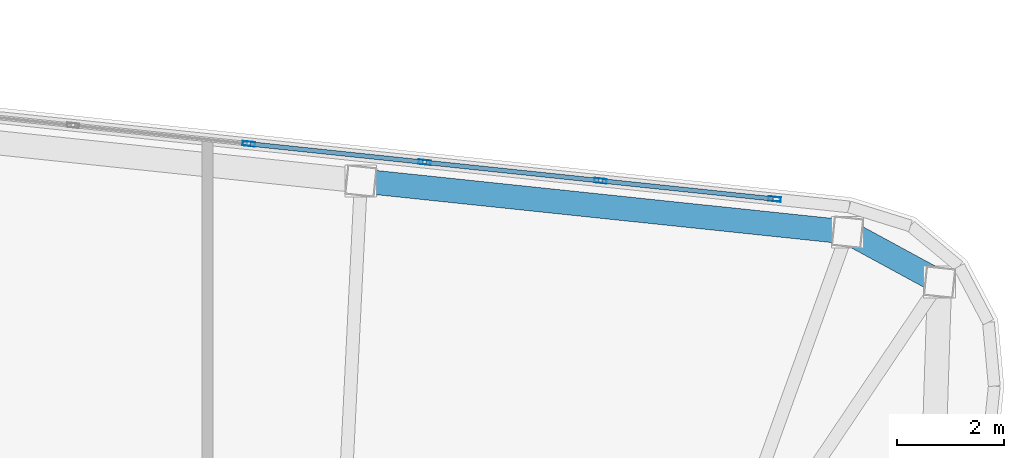
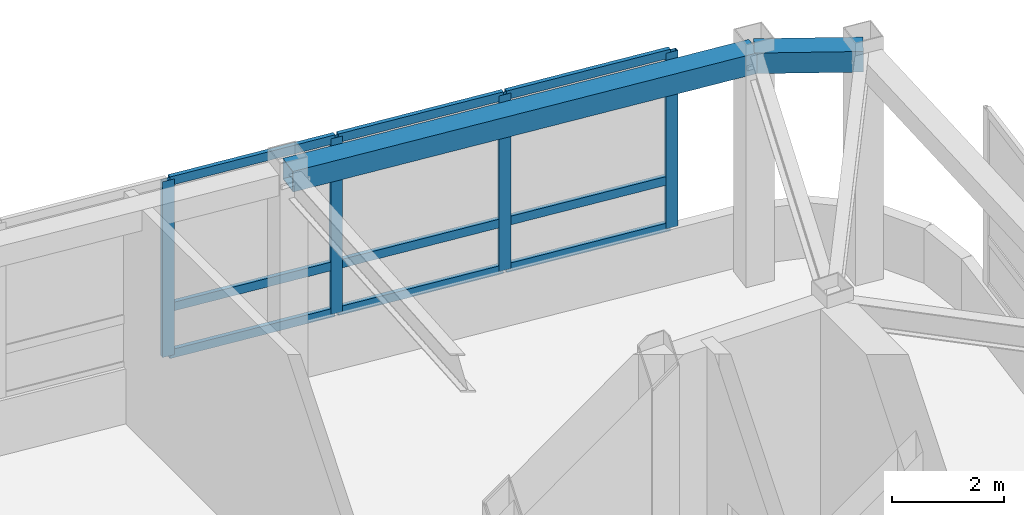
# One storey, part 17 of 23: 13 members, 2 beams, 1 element without a shape of its own.
"""IFC4 building model written with IfcOpenShell, lengths in metres."""

from ifc_helpers import new_model, si_unit, direction, frame, origin, origin_2d, place, context, subcontext, project, spatial, hollow_rectangle, extrude, material, layer, layer_set, material_profile, profile_set, type_object, element, aggregate, save


model = new_model("IFC4")

# Units and contexts
model_context = context("Model", 3, precision=1e-05, world=origin(), true_north=direction((0.0, 1.0)))
body_context = subcontext(model_context, "Body", "Model", "MODEL_VIEW")
ifc_project = project(units=[si_unit("LENGTHUNIT", "METRE"), si_unit("AREAUNIT", "SQUARE_METRE"), si_unit("VOLUMEUNIT", "CUBIC_METRE"), si_unit("PLANEANGLEUNIT", "RADIAN"), si_unit("MASSUNIT", "GRAM", prefix="KILO")], contexts=[model_context])

# Site, building, storey
site_placement = place(None, origin())
site = spatial("IfcSite", under=ifc_project, at=site_placement, CompositionType="ELEMENT")
building_placement = place(site_placement, origin())
building = spatial("IfcBuilding", under=site, at=building_placement, Name="Voryun Gate Residences", CompositionType="ELEMENT")
storey_placement = place(building_placement, frame((0.0, 0.0, 321.300048828125)))
storey = spatial("IfcBuildingStorey", under=building, at=storey_placement, Name="L79", CompositionType="ELEMENT", Elevation=321.300048828125)

# Beams
ifc_material_1 = material(Name="Steel SM355", Category="steel")
ifc_material_profile_1 = material_profile(ifc_material_1, hollow_rectangle(XDim=0.449951171875, YDim=0.449951171875, WallThickness=0.01806640625, at=origin_2d()), Name="BOX-450x450x18")
ifc_profile_set_1 = profile_set([ifc_material_profile_1], Name="Steel SM355")
beam_type = type_object("IfcBeamType", Name="BM_CROWN_RING", PredefinedType="BEAM", material=ifc_profile_set_1)
beam_1_placement = place(storey_placement, frame((23.603759765625, 13.9404296875, 4.800048828125), z_axis=(-0.87877849121, 0.477229885262, 0.0), x_axis=(-0.477229885262, -0.87877849121, 0.0)))
element("IfcBeam", 1, at=beam_1_placement, inside=storey, type_object=beam_type, Name="BM-L79-SPAND-10", PredefinedType="BEAM", context=body_context, shape_type="SweptSolid", body=[
    extrude(hollow_rectangle(XDim=0.449951171875, YDim=0.449951171875, WallThickness=0.01806640625, at=origin_2d()), origin(), (0.0, 0.0, 1.0), 1.95166015625),
])
beam_2_placement = place(storey_placement, frame((21.888671875, 14.871826171875, 4.800048828125), z_axis=(-0.994523919568, 0.104509202498, 0.0), x_axis=(-0.104509202498, -0.994523919568, 0.0)))
element("IfcBeam", 2, at=beam_2_placement, inside=storey, type_object=beam_type, Name="BM-L79-SPAND-11", PredefinedType="BEAM", context=body_context, shape_type="SweptSolid", body=[
    extrude(hollow_rectangle(XDim=0.449951171875, YDim=0.449951171875, WallThickness=0.01806640625, at=origin_2d()), origin(), (0.0, 0.0, 1.0), 9.1201171875),
])

# Curtain wall, members
ifc_material_2 = material(Name="Anodised aluminium", Category="aluminium")
ifc_layer = layer(ifc_material_2, 0.22998046875, Name="CW_SYS_LANTERN_DARK_GLASS")
ifc_layer_set = layer_set([ifc_layer], Name="Anodised aluminium")
curtain_wall_type = type_object("IfcCurtainWallType", Name="CW_SYS_LANTERN_DARK_GLASS", PredefinedType="NOTDEFINED", material=ifc_layer_set)
curtain_wall_placement = place(storey_placement, origin())
curtain_wall = element("IfcCurtainWall", 3, at=curtain_wall_placement, inside=storey, type_object=curtain_wall_type, Name="Curtain wall CW6-L79-11", PredefinedType="NOTDEFINED")
ifc_material_3 = material(Name="Anodised aluminium", Category="aluminium")
ifc_material_profile_2 = material_profile(ifc_material_3, hollow_rectangle(XDim=0.0849609375, YDim=0.22998046875, WallThickness=0.006103515625, at=origin_2d()), Name="ALU-MULL-230x85x6")
ifc_profile_set_2 = profile_set([ifc_material_profile_2], Name="Anodised aluminium")
member_type_1 = type_object("IfcMemberType", Name="CW_MULL_LANT", PredefinedType="MULLION", material=ifc_profile_set_2)
member_1_placement = place(storey_placement, frame((10.730712890625, 16.51708984375, 1.18994140625), z_axis=(0.0, 0.0, 1.0), x_axis=(0.10452775858, 0.994521969434, 0.0)))
member_1 = element("IfcMember", 4, at=member_1_placement, type_object=member_type_1, Name="CW6 mullion 11", PredefinedType="MULLION", context=body_context, shape_type="SweptSolid", body=[
    extrude(hollow_rectangle(XDim=0.0849609375, YDim=0.22998046875, WallThickness=0.006103515625, at=origin_2d()), origin(), (0.0, 0.0, 1.0), 3.8349609375),
])
member_2_placement = place(storey_placement, frame((14.007568359375, 16.172607421875, 1.18994140625), z_axis=(0.0, 0.0, 1.0), x_axis=(0.10452775858, 0.994521969434, 0.0)))
member_2 = element("IfcMember", 5, at=member_2_placement, type_object=member_type_1, Name="CW6 mullion 12", PredefinedType="MULLION", context=body_context, shape_type="SweptSolid", body=[
    extrude(hollow_rectangle(XDim=0.0849609375, YDim=0.22998046875, WallThickness=0.006103515625, at=origin_2d()), origin(), (0.0, 0.0, 1.0), 3.8349609375),
])
member_3_placement = place(storey_placement, frame((17.2841796875, 15.828369140625, 1.18994140625), z_axis=(0.0, 0.0, 1.0), x_axis=(0.10452775858, 0.994521969434, 0.0)))
member_3 = element("IfcMember", 6, at=member_3_placement, type_object=member_type_1, Name="CW6 mullion 13", PredefinedType="MULLION", context=body_context, shape_type="SweptSolid", body=[
    extrude(hollow_rectangle(XDim=0.0849609375, YDim=0.22998046875, WallThickness=0.006103515625, at=origin_2d()), origin(), (0.0, 0.0, 1.0), 3.8349609375),
])
member_4_placement = place(storey_placement, frame((20.53076171875, 15.487060546875, 1.18994140625), z_axis=(0.0, 0.0, 1.0), x_axis=(0.10452775858, 0.994521969434, 0.0)))
member_4 = element("IfcMember", 7, at=member_4_placement, type_object=member_type_1, Name="CW6 mullion 14", PredefinedType="MULLION", context=body_context, shape_type="SweptSolid", body=[
    extrude(hollow_rectangle(XDim=0.0849609375, YDim=0.22998046875, WallThickness=0.006103515625, at=origin_2d()), origin(), (0.0, 0.0, 1.0), 3.8349609375),
])
ifc_material_4 = material(Name="Anodised aluminium", Category="aluminium")
ifc_material_profile_3 = material_profile(ifc_material_4, hollow_rectangle(XDim=0.0849609375, YDim=0.18994140625, WallThickness=0.006103515625, at=origin_2d()), Name="ALU-TRAN-190x85x6")
ifc_profile_set_3 = profile_set([ifc_material_profile_3], Name="Anodised aluminium")
member_type_2 = type_object("IfcMemberType", Name="CW_TRAN_LANT", PredefinedType="USERDEFINED", material=ifc_profile_set_3)
member_5_placement = place(storey_placement, frame((10.7607421875, 16.513916015625, 1.219970703125), z_axis=(0.994520745033, -0.104539407398, 0.0), x_axis=(0.104539407398, 0.994520745033, 0.0)))
member_5 = element("IfcMember", 8, at=member_5_placement, type_object=member_type_2, Name="CW6 transom 11.1", ObjectType="TRANSOM", PredefinedType="USERDEFINED", context=body_context, shape_type="SweptSolid", body=[
    extrude(hollow_rectangle(XDim=0.0849609375, YDim=0.18994140625, WallThickness=0.006103515625, at=origin_2d()), origin(), (0.0, 0.0, 1.0), 3.234619140625),
])
member_6_placement = place(storey_placement, frame((10.7607421875, 16.513916015625, 2.239990234375), z_axis=(0.994520745033, -0.104539407398, 0.0), x_axis=(0.104539407398, 0.994520745033, 0.0)))
member_6 = element("IfcMember", 9, at=member_6_placement, type_object=member_type_2, Name="CW6 transom 11.2", ObjectType="TRANSOM", PredefinedType="USERDEFINED", context=body_context, shape_type="SweptSolid", body=[
    extrude(hollow_rectangle(XDim=0.0849609375, YDim=0.18994140625, WallThickness=0.006103515625, at=origin_2d()), origin(), (0.0, 0.0, 1.0), 3.234619140625),
])
member_7_placement = place(storey_placement, frame((10.7607421875, 16.513916015625, 4.994873046875), z_axis=(0.994520745033, -0.104539407398, 0.0), x_axis=(0.104539407398, 0.994520745033, 0.0)))
member_7 = element("IfcMember", 10, at=member_7_placement, type_object=member_type_2, Name="CW6 transom 11.3", ObjectType="TRANSOM", PredefinedType="USERDEFINED", context=body_context, shape_type="SweptSolid", body=[
    extrude(hollow_rectangle(XDim=0.0849609375, YDim=0.18994140625, WallThickness=0.006103515625, at=origin_2d()), origin(), (0.0, 0.0, 1.0), 3.234619140625),
])
member_8_placement = place(storey_placement, frame((14.037353515625, 16.16943359375, 1.219970703125), z_axis=(0.994520745033, -0.104539407398, 0.0), x_axis=(0.104539407398, 0.994520745033, 0.0)))
member_8 = element("IfcMember", 11, at=member_8_placement, type_object=member_type_2, Name="CW6 transom 12.1", ObjectType="TRANSOM", PredefinedType="USERDEFINED", context=body_context, shape_type="SweptSolid", body=[
    extrude(hollow_rectangle(XDim=0.0849609375, YDim=0.18994140625, WallThickness=0.006103515625, at=origin_2d()), origin(), (0.0, 0.0, 1.0), 3.234619140625),
])
member_9_placement = place(storey_placement, frame((14.037353515625, 16.16943359375, 2.239990234375), z_axis=(0.994520745033, -0.104539407398, 0.0), x_axis=(0.104539407398, 0.994520745033, 0.0)))
member_9 = element("IfcMember", 12, at=member_9_placement, type_object=member_type_2, Name="CW6 transom 12.2", ObjectType="TRANSOM", PredefinedType="USERDEFINED", context=body_context, shape_type="SweptSolid", body=[
    extrude(hollow_rectangle(XDim=0.0849609375, YDim=0.18994140625, WallThickness=0.006103515625, at=origin_2d()), origin(), (0.0, 0.0, 1.0), 3.234619140625),
])
member_10_placement = place(storey_placement, frame((14.037353515625, 16.16943359375, 4.994873046875), z_axis=(0.994520745033, -0.104539407398, 0.0), x_axis=(0.104539407398, 0.994520745033, 0.0)))
member_10 = element("IfcMember", 13, at=member_10_placement, type_object=member_type_2, Name="CW6 transom 12.3", ObjectType="TRANSOM", PredefinedType="USERDEFINED", context=body_context, shape_type="SweptSolid", body=[
    extrude(hollow_rectangle(XDim=0.0849609375, YDim=0.18994140625, WallThickness=0.006103515625, at=origin_2d()), origin(), (0.0, 0.0, 1.0), 3.234619140625),
])
member_11_placement = place(storey_placement, frame((17.31396484375, 15.8251953125, 1.219970703125), z_axis=(0.994522138405, -0.104526150903, 0.0), x_axis=(0.104526150903, 0.994522138405, 0.0)))
member_11 = element("IfcMember", 14, at=member_11_placement, type_object=member_type_2, Name="CW6 transom 13.1", ObjectType="TRANSOM", PredefinedType="USERDEFINED", context=body_context, shape_type="SweptSolid", body=[
    extrude(hollow_rectangle(XDim=0.0849609375, YDim=0.18994140625, WallThickness=0.006103515625, at=origin_2d()), origin(), (0.0, 0.0, 1.0), 3.20458984375),
])
member_12_placement = place(storey_placement, frame((17.31396484375, 15.8251953125, 2.239990234375), z_axis=(0.994522138405, -0.104526150903, 0.0), x_axis=(0.104526150903, 0.994522138405, 0.0)))
member_12 = element("IfcMember", 15, at=member_12_placement, type_object=member_type_2, Name="CW6 transom 13.2", ObjectType="TRANSOM", PredefinedType="USERDEFINED", context=body_context, shape_type="SweptSolid", body=[
    extrude(hollow_rectangle(XDim=0.0849609375, YDim=0.18994140625, WallThickness=0.006103515625, at=origin_2d()), origin(), (0.0, 0.0, 1.0), 3.20458984375),
])
member_13_placement = place(storey_placement, frame((17.31396484375, 15.8251953125, 4.994873046875), z_axis=(0.994522138405, -0.104526150903, 0.0), x_axis=(0.104526150903, 0.994522138405, 0.0)))
member_13 = element("IfcMember", 16, at=member_13_placement, type_object=member_type_2, Name="CW6 transom 13.3", ObjectType="TRANSOM", PredefinedType="USERDEFINED", context=body_context, shape_type="SweptSolid", body=[
    extrude(hollow_rectangle(XDim=0.0849609375, YDim=0.18994140625, WallThickness=0.006103515625, at=origin_2d()), origin(), (0.0, 0.0, 1.0), 3.20458984375),
])
aggregate(curtain_wall, [member_1, member_2, member_3, member_4, member_5, member_6, member_7, member_8, member_9, member_10, member_11, member_12, member_13])

save(model, "model.ifc")
